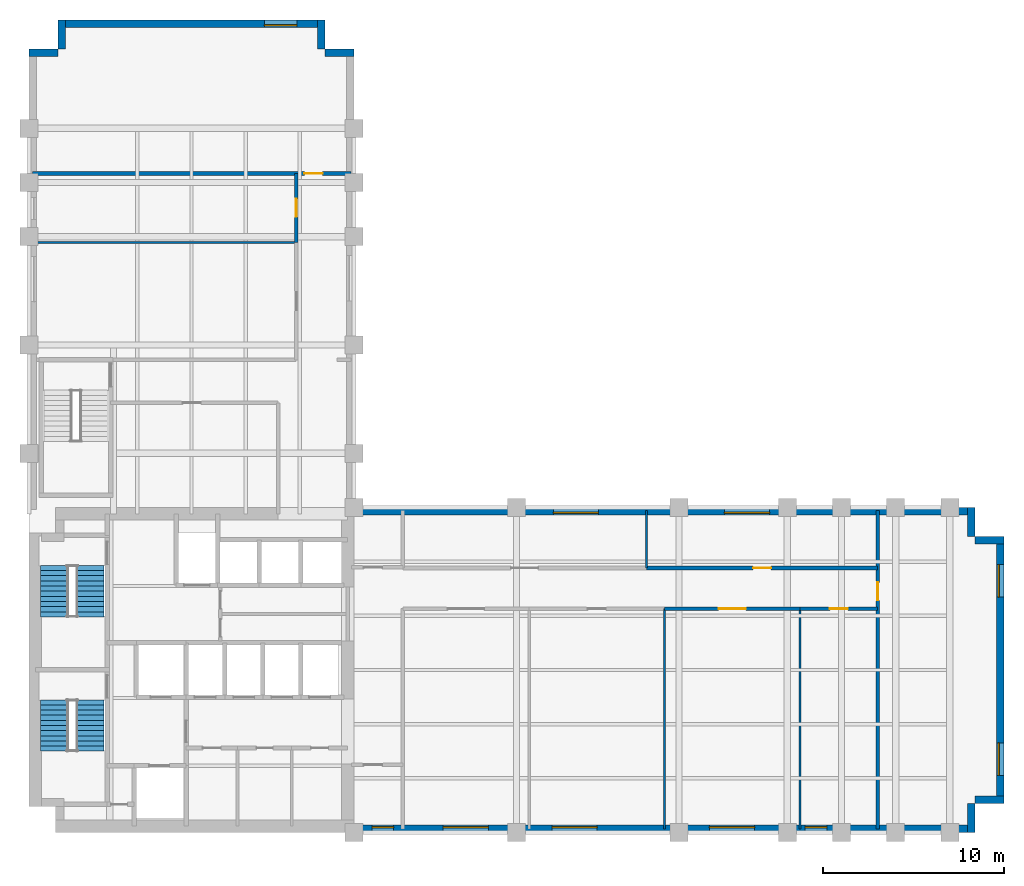
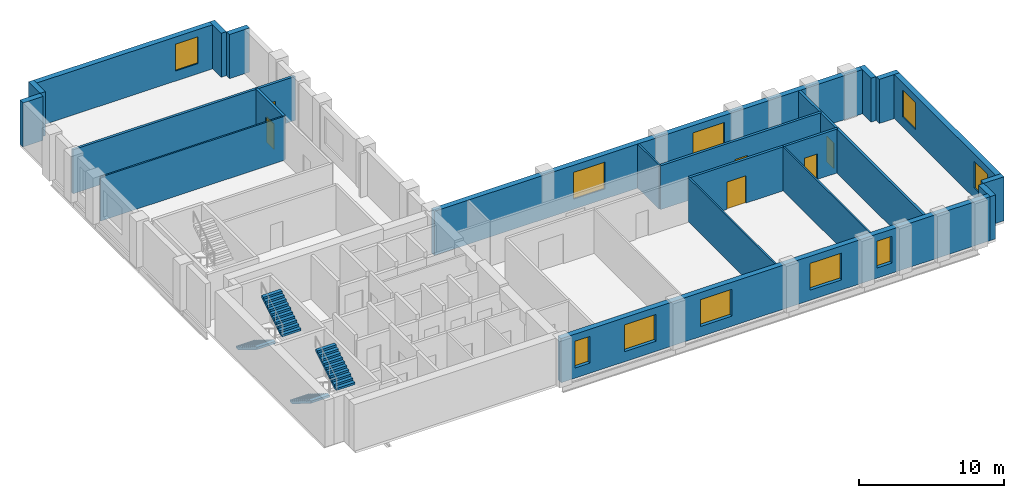
# One storey, part 5 of 7: 22 walls, 10 windows, 6 doors, 4 stair flights, 16 openings, 2 elements without a shape of their own.
"""IFC4 building model written with IfcOpenShell, lengths in metres."""

from ifc_helpers import new_model, si_unit, direction, frame, frame_2d, origin, place, context, subcontext, project, spatial, polyline, rectangle, outline, extrude, material, layer, layer_set, type_object, element, fill, aggregate, save


model = new_model("IFC4")

# Units and contexts
model_context = context("Model", 3, precision=1e-05, world=origin(), true_north=direction((0.0, 1.0)))
body_context = subcontext(model_context, "Body", "Model", "MODEL_VIEW")
ifc_project = project(units=[si_unit("LENGTHUNIT", "METRE"), si_unit("AREAUNIT", "SQUARE_METRE"), si_unit("VOLUMEUNIT", "CUBIC_METRE"), si_unit("PLANEANGLEUNIT", "RADIAN"), si_unit("MASSUNIT", "GRAM", prefix="KILO")], contexts=[model_context])

# Site, building, storey
site_placement = place(None, origin())
site = spatial("IfcSite", under=ifc_project, at=site_placement, CompositionType="ELEMENT")
building_placement = place(site_placement, origin())
building = spatial("IfcBuilding", under=site, at=building_placement, Name="Mawjdan Bourse Tower", CompositionType="ELEMENT")
storey_placement = place(building_placement, frame((0.0, 0.0, 140.10009765625)))
storey = spatial("IfcBuildingStorey", under=building, at=storey_placement, Name="L33", CompositionType="ELEMENT", Elevation=140.10009765625)

# Wall, openings, windows
ifc_material_1 = material(Name="Brick Masonry Buff", Category="masonry")
ifc_layer_1 = layer(ifc_material_1, 0.419921875)
ifc_layer_set_1 = layer_set([ifc_layer_1], Name="Brick Masonry Buff")
wall_type_1 = type_object("IfcWallType", Name="WL-BRK-BUFF-420", PredefinedType="STANDARD", material=ifc_layer_set_1)
wall_1_placement = place(storey_placement, frame((23.89990234375, 3.2099609375, 0.0), z_axis=(0.0, 0.0, 1.0), x_axis=(1.0, 0.0, 0.0)))
wall_1 = element("IfcWall", 1, at=wall_1_placement, inside=storey, type_object=wall_type_1, Name="L33 Exterior Brick Wall 1", PredefinedType="STANDARD", context=body_context, shape_type="SweptSolid", body=[
    extrude(rectangle(XDim=34.5, YDim=0.419921875, at=frame_2d((17.25, 0.0))), origin(), (0.0, 0.0, 1.0), 3.699951171875),
])
opening_1_placement = place(wall_1_placement, frame((11.0712890625, 0.0, 0.85009765625)))
opening_1 = element("IfcOpeningElement", 2, at=opening_1_placement, cuts=wall_1, Name="Opening W-L33-01", PredefinedType="OPENING", context=body_context, shape_type="SweptSolid", body=[
    extrude(rectangle(XDim=2.5, YDim=2.25, at=frame_2d((1.25, 1.125))), frame((0.0, 0.219970703125, 0.0), z_axis=(0.0, -1.0, 0.0), x_axis=(1.0, 0.0, 0.0)), (0.0, 0.0, 1.0), 0.43994140625),
])
opening_2_placement = place(wall_1_placement, frame((1.10009765625, 0.0, 0.85009765625)))
opening_2 = element("IfcOpeningElement", 3, at=opening_2_placement, cuts=wall_1, Name="Opening W-L33-08", PredefinedType="OPENING", context=body_context, shape_type="SweptSolid", body=[
    extrude(rectangle(XDim=1.199951171875, YDim=2.25, at=frame_2d((0.60009765625, 1.125))), frame((0.0, 0.219970703125, 0.0), z_axis=(0.0, -1.0, 0.0), x_axis=(1.0, 0.0, 0.0)), (0.0, 0.0, 1.0), 0.43994140625),
])
opening_3_placement = place(wall_1_placement, frame((5.0361328125, 0.0, 0.85009765625)))
opening_3 = element("IfcOpeningElement", 4, at=opening_3_placement, cuts=wall_1, Name="Opening W-L33-09", PredefinedType="OPENING", context=body_context, shape_type="SweptSolid", body=[
    extrude(rectangle(XDim=2.5, YDim=2.25, at=frame_2d((1.25, 1.125))), frame((0.0, 0.219970703125, 0.0), z_axis=(0.0, -1.0, 0.0), x_axis=(1.0, 0.0, 0.0)), (0.0, 0.0, 1.0), 0.43994140625),
])
opening_4_placement = place(wall_1_placement, frame((19.7861328125, 0.0, 0.85009765625)))
opening_4 = element("IfcOpeningElement", 5, at=opening_4_placement, cuts=wall_1, Name="Opening W-L33-10", PredefinedType="OPENING", context=body_context, shape_type="SweptSolid", body=[
    extrude(rectangle(XDim=2.5, YDim=2.25, at=frame_2d((1.25, 1.125))), frame((0.0, 0.219970703125, 0.0), z_axis=(0.0, -1.0, 0.0), x_axis=(1.0, 0.0, 0.0)), (0.0, 0.0, 1.0), 0.43994140625),
])
opening_5_placement = place(wall_1_placement, frame((25.086181640625, 0.0, 0.85009765625)))
opening_5 = element("IfcOpeningElement", 6, at=opening_5_placement, cuts=wall_1, Name="Opening W-L33-11", PredefinedType="OPENING", context=body_context, shape_type="SweptSolid", body=[
    extrude(rectangle(XDim=1.199951171875, YDim=2.25, at=frame_2d((0.60009765625, 1.125))), frame((0.0, 0.219970703125, 0.0), z_axis=(0.0, -1.0, 0.0), x_axis=(1.0, 0.0, 0.0)), (0.0, 0.0, 1.0), 0.43994140625),
])
ifc_material_2 = material(Name="Solar-Control Clear Double Glazing", Category="glass")
window_type_1 = type_object("IfcWindowType", Name="WN-Z2-1200", PartitioningType="SINGLE_PANEL", PredefinedType="WINDOW", material=ifc_material_2)
window_1_placement = place(opening_2_placement, origin())
window_1 = element("IfcWindow", 7, at=window_1_placement, inside=storey, type_object=window_type_1, Name="L33 Deep-Set Masonry Window W-L33-08", OverallHeight=2.25, OverallWidth=1.199951171875, PartitioningType="SINGLE_PANEL", PredefinedType="WINDOW", context=body_context, shape_type="SweptSolid", body=[
    extrude(rectangle(XDim=1.199951171875, YDim=2.25, at=frame_2d((0.60009765625, 1.125))), frame((0.0, 0.110107421875, 0.0), z_axis=(0.0, -1.0, 0.0), x_axis=(1.0, 0.0, 0.0)), (0.0, 0.0, 1.0), 0.06005859375),
])
fill(opening_2, window_1)
window_2_placement = place(opening_5_placement, origin())
window_2 = element("IfcWindow", 8, at=window_2_placement, inside=storey, type_object=window_type_1, Name="L33 Deep-Set Masonry Window W-L33-11", OverallHeight=2.25, OverallWidth=1.199951171875, PartitioningType="SINGLE_PANEL", PredefinedType="WINDOW", context=body_context, shape_type="SweptSolid", body=[
    extrude(rectangle(XDim=1.199951171875, YDim=2.25, at=frame_2d((0.60009765625, 1.125))), frame((0.0, 0.110107421875, 0.0), z_axis=(0.0, -1.0, 0.0), x_axis=(1.0, 0.0, 0.0)), (0.0, 0.0, 1.0), 0.06005859375),
])
fill(opening_5, window_2)
window_type_2 = type_object("IfcWindowType", Name="WN-Z2-2500", PartitioningType="SINGLE_PANEL", PredefinedType="WINDOW", material=ifc_material_2)
window_3_placement = place(opening_1_placement, origin())
window_3 = element("IfcWindow", 9, at=window_3_placement, inside=storey, type_object=window_type_2, Name="L33 Deep-Set Masonry Window W-L33-01", OverallHeight=2.25, OverallWidth=2.5, PartitioningType="SINGLE_PANEL", PredefinedType="WINDOW", context=body_context, shape_type="SweptSolid", body=[
    extrude(rectangle(XDim=2.5, YDim=2.25, at=frame_2d((1.25, 1.125))), frame((0.0, 0.110107421875, 0.0), z_axis=(0.0, -1.0, 0.0), x_axis=(1.0, 0.0, 0.0)), (0.0, 0.0, 1.0), 0.06005859375),
])
fill(opening_1, window_3)
window_4_placement = place(opening_3_placement, origin())
window_4 = element("IfcWindow", 10, at=window_4_placement, inside=storey, type_object=window_type_2, Name="L33 Deep-Set Masonry Window W-L33-09", OverallHeight=2.25, OverallWidth=2.5, PartitioningType="SINGLE_PANEL", PredefinedType="WINDOW", context=body_context, shape_type="SweptSolid", body=[
    extrude(rectangle(XDim=2.5, YDim=2.25, at=frame_2d((1.25, 1.125))), frame((0.0, 0.110107421875, 0.0), z_axis=(0.0, -1.0, 0.0), x_axis=(1.0, 0.0, 0.0)), (0.0, 0.0, 1.0), 0.06005859375),
])
fill(opening_3, window_4)
window_5_placement = place(opening_4_placement, origin())
window_5 = element("IfcWindow", 11, at=window_5_placement, inside=storey, type_object=window_type_2, Name="L33 Deep-Set Masonry Window W-L33-10", OverallHeight=2.25, OverallWidth=2.5, PartitioningType="SINGLE_PANEL", PredefinedType="WINDOW", context=body_context, shape_type="SweptSolid", body=[
    extrude(rectangle(XDim=2.5, YDim=2.25, at=frame_2d((1.25, 1.125))), frame((0.0, 0.110107421875, 0.0), z_axis=(0.0, -1.0, 0.0), x_axis=(1.0, 0.0, 0.0)), (0.0, 0.0, 1.0), 0.06005859375),
])
fill(opening_4, window_5)

# Walls
for number, where, z_axis, x_axis, name in (
    (12, (58.18994140625, 3.0, 0.0), (0.0, 0.0, 1.0), (0.0, 1.0, 0.0), "L33 Exterior Brick Wall 2"),
    (13, (58.39990234375, 4.81005859375, 0.0), (0.0, 0.0, 1.0), (1.0, 0.0, 0.0), "L33 Exterior Brick Wall 3"),
):
    element("IfcWall", number, at=place(storey_placement, frame(where, z_axis=z_axis, x_axis=x_axis)), inside=storey, type_object=wall_type_1, Name=name, PredefinedType="STANDARD", context=body_context, shape_type="SweptSolid", body=[
        extrude(rectangle(XDim=1.60009765625, YDim=0.419921875, at=frame_2d((0.800048828125, 0.0))), origin(), (0.0, 0.0, 1.0), 3.699951171875),
    ])

# Wall, openings, windows
wall_2_placement = place(storey_placement, frame((59.7900390625, 4.60009765625, 0.0), z_axis=(0.0, 0.0, 1.0), x_axis=(0.0, 1.0, 0.0)))
wall_2 = element("IfcWall", 14, at=wall_2_placement, inside=storey, type_object=wall_type_1, Name="L33 Exterior Brick Wall 4", PredefinedType="STANDARD", context=body_context, shape_type="SweptSolid", body=[
    extrude(rectangle(XDim=14.7998046875, YDim=0.419921875, at=frame_2d((7.39990234375, 0.0))), origin(), (0.0, 0.0, 1.0), 3.699951171875),
])
opening_6_placement = place(wall_2_placement, frame((1.566650390625, 0.0, 0.85009765625)))
opening_6 = element("IfcOpeningElement", 15, at=opening_6_placement, cuts=wall_2, Name="Opening W-L33-02", PredefinedType="OPENING", context=body_context, shape_type="SweptSolid", body=[
    extrude(rectangle(XDim=1.800048828125, YDim=2.25, at=frame_2d((0.89990234375, 1.125))), frame((0.0, 0.219970703125, 0.0), z_axis=(0.0, -1.0, 0.0), x_axis=(1.0, 0.0, 0.0)), (0.0, 0.0, 1.0), 0.43994140625),
])
opening_7_placement = place(wall_2_placement, frame((11.433349609375, 0.0, 0.85009765625)))
opening_7 = element("IfcOpeningElement", 16, at=opening_7_placement, cuts=wall_2, Name="Opening W-L33-03", PredefinedType="OPENING", context=body_context, shape_type="SweptSolid", body=[
    extrude(rectangle(XDim=1.800048828125, YDim=2.25, at=frame_2d((0.89990234375, 1.125))), frame((0.0, 0.219970703125, 0.0), z_axis=(0.0, -1.0, 0.0), x_axis=(1.0, 0.0, 0.0)), (0.0, 0.0, 1.0), 0.43994140625),
])
window_type_3 = type_object("IfcWindowType", Name="WN-Z2-1800", PartitioningType="SINGLE_PANEL", PredefinedType="WINDOW", material=ifc_material_2)
window_6_placement = place(opening_6_placement, origin())
window_6 = element("IfcWindow", 17, at=window_6_placement, inside=storey, type_object=window_type_3, Name="L33 Deep-Set Masonry Window W-L33-02", OverallHeight=2.25, OverallWidth=1.800048828125, PartitioningType="SINGLE_PANEL", PredefinedType="WINDOW", context=body_context, shape_type="SweptSolid", body=[
    extrude(rectangle(XDim=1.800048828125, YDim=2.25, at=frame_2d((0.89990234375, 1.125))), frame((0.0, 0.110107421875, 0.0), z_axis=(0.0, -1.0, 0.0), x_axis=(1.0, 0.0, 0.0)), (0.0, 0.0, 1.0), 0.06005859375),
])
fill(opening_6, window_6)
window_7_placement = place(opening_7_placement, origin())
window_7 = element("IfcWindow", 18, at=window_7_placement, inside=storey, type_object=window_type_3, Name="L33 Deep-Set Masonry Window W-L33-03", OverallHeight=2.25, OverallWidth=1.800048828125, PartitioningType="SINGLE_PANEL", PredefinedType="WINDOW", context=body_context, shape_type="SweptSolid", body=[
    extrude(rectangle(XDim=1.800048828125, YDim=2.25, at=frame_2d((0.89990234375, 1.125))), frame((0.0, 0.110107421875, 0.0), z_axis=(0.0, -1.0, 0.0), x_axis=(1.0, 0.0, 0.0)), (0.0, 0.0, 1.0), 0.06005859375),
])
fill(opening_7, window_7)

# Walls
for number, where, z_axis, x_axis, name in (
    (19, (60.0, 19.18994140625, 0.0), (0.0, 0.0, 1.0), (-1.0, 0.0, 0.0), "L33 Exterior Brick Wall 5"),
    (20, (58.18994140625, 19.39990234375, 0.0), (0.0, 0.0, 1.0), (0.0, 1.0, 0.0), "L33 Exterior Brick Wall 6"),
):
    element("IfcWall", number, at=place(storey_placement, frame(where, z_axis=z_axis, x_axis=x_axis)), inside=storey, type_object=wall_type_1, Name=name, PredefinedType="STANDARD", context=body_context, shape_type="SweptSolid", body=[
        extrude(rectangle(XDim=1.60009765625, YDim=0.419921875, at=frame_2d((0.800048828125, 0.0))), origin(), (0.0, 0.0, 1.0), 3.699951171875),
    ])

# Wall, openings, windows
wall_3_placement = place(storey_placement, frame((58.39990234375, 20.7900390625, 0.0), z_axis=(0.0, 0.0, 1.0), x_axis=(-1.0, 0.0, 0.0)))
wall_3 = element("IfcWall", 21, at=wall_3_placement, inside=storey, type_object=wall_type_1, Name="L33 Exterior Brick Wall 7", PredefinedType="STANDARD", context=body_context, shape_type="SweptSolid", body=[
    extrude(rectangle(XDim=34.39990234375, YDim=0.419921875, at=frame_2d((17.199951171875, 0.0))), origin(), (0.0, 0.0, 1.0), 3.699951171875),
])
opening_8_placement = place(wall_3_placement, frame((20.8642578125, 0.0, 0.85009765625)))
opening_8 = element("IfcOpeningElement", 22, at=opening_8_placement, cuts=wall_3, Name="Opening W-L33-04", PredefinedType="OPENING", context=body_context, shape_type="SweptSolid", body=[
    extrude(rectangle(XDim=2.5, YDim=2.25, at=frame_2d((1.25, 1.125))), frame((0.0, 0.219970703125, 0.0), z_axis=(0.0, -1.0, 0.0), x_axis=(1.0, 0.0, 0.0)), (0.0, 0.0, 1.0), 0.43994140625),
])
opening_9_placement = place(wall_3_placement, frame((11.38623046875, 0.0, 0.85009765625)))
opening_9 = element("IfcOpeningElement", 23, at=opening_9_placement, cuts=wall_3, Name="Opening W-L33-12", PredefinedType="OPENING", context=body_context, shape_type="SweptSolid", body=[
    extrude(rectangle(XDim=2.5, YDim=2.25, at=frame_2d((1.25, 1.125))), frame((0.0, 0.219970703125, 0.0), z_axis=(0.0, -1.0, 0.0), x_axis=(1.0, 0.0, 0.0)), (0.0, 0.0, 1.0), 0.43994140625),
])
window_8_placement = place(opening_8_placement, origin())
window_8 = element("IfcWindow", 24, at=window_8_placement, inside=storey, type_object=window_type_2, Name="L33 Deep-Set Masonry Window W-L33-04", OverallHeight=2.25, OverallWidth=2.5, PartitioningType="SINGLE_PANEL", PredefinedType="WINDOW", context=body_context, shape_type="SweptSolid", body=[
    extrude(rectangle(XDim=2.5, YDim=2.25, at=frame_2d((1.25, 1.125))), frame((0.0, 0.110107421875, 0.0), z_axis=(0.0, -1.0, 0.0), x_axis=(1.0, 0.0, 0.0)), (0.0, 0.0, 1.0), 0.06005859375),
])
fill(opening_8, window_8)
window_9_placement = place(opening_9_placement, origin())
window_9 = element("IfcWindow", 25, at=window_9_placement, inside=storey, type_object=window_type_2, Name="L33 Deep-Set Masonry Window W-L33-12", OverallHeight=2.25, OverallWidth=2.5, PartitioningType="SINGLE_PANEL", PredefinedType="WINDOW", context=body_context, shape_type="SweptSolid", body=[
    extrude(rectangle(XDim=2.5, YDim=2.25, at=frame_2d((1.25, 1.125))), frame((0.0, 0.110107421875, 0.0), z_axis=(0.0, -1.0, 0.0), x_axis=(1.0, 0.0, 0.0)), (0.0, 0.0, 1.0), 0.06005859375),
])
fill(opening_9, window_9)

# Walls
for number, where, z_axis, x_axis, name in (
    (26, (24.0, 46.18994140625, 0.0), (0.0, 0.0, 1.0), (-1.0, 0.0, 0.0), "L33 Exterior Brick Wall 9"),
    (27, (22.18994140625, 46.39990234375, 0.0), (0.0, 0.0, 1.0), (0.0, 1.0, 0.0), "L33 Exterior Brick Wall 10"),
):
    element("IfcWall", number, at=place(storey_placement, frame(where, z_axis=z_axis, x_axis=x_axis)), inside=storey, type_object=wall_type_1, Name=name, PredefinedType="STANDARD", context=body_context, shape_type="SweptSolid", body=[
        extrude(rectangle(XDim=1.60009765625, YDim=0.419921875, at=frame_2d((0.800048828125, 0.0))), origin(), (0.0, 0.0, 1.0), 3.699951171875),
    ])

# Wall, opening, window
wall_4_placement = place(storey_placement, frame((22.39990234375, 47.7900390625, 0.0), z_axis=(0.0, 0.0, 1.0), x_axis=(-1.0, 0.0, 0.0)))
wall_4 = element("IfcWall", 28, at=wall_4_placement, inside=storey, type_object=wall_type_1, Name="L33 Exterior Brick Wall 11", PredefinedType="STANDARD", context=body_context, shape_type="SweptSolid", body=[
    extrude(rectangle(XDim=14.7998046875, YDim=0.419921875, at=frame_2d((7.39990234375, 0.0))), origin(), (0.0, 0.0, 1.0), 3.699951171875),
])
opening_10_placement = place(wall_4_placement, frame((1.566650390625, 0.0, 0.85009765625)))
opening_10 = element("IfcOpeningElement", 29, at=opening_10_placement, cuts=wall_4, Name="Opening W-L33-06", PredefinedType="OPENING", context=body_context, shape_type="SweptSolid", body=[
    extrude(rectangle(XDim=1.800048828125, YDim=2.25, at=frame_2d((0.89990234375, 1.125))), frame((0.0, 0.219970703125, 0.0), z_axis=(0.0, -1.0, 0.0), x_axis=(1.0, 0.0, 0.0)), (0.0, 0.0, 1.0), 0.43994140625),
])
window_10_placement = place(opening_10_placement, origin())
window_10 = element("IfcWindow", 30, at=window_10_placement, inside=storey, type_object=window_type_3, Name="L33 Deep-Set Masonry Window W-L33-06", OverallHeight=2.25, OverallWidth=1.800048828125, PartitioningType="SINGLE_PANEL", PredefinedType="WINDOW", context=body_context, shape_type="SweptSolid", body=[
    extrude(rectangle(XDim=1.800048828125, YDim=2.25, at=frame_2d((0.89990234375, 1.125))), frame((0.0, 0.110107421875, 0.0), z_axis=(0.0, -1.0, 0.0), x_axis=(1.0, 0.0, 0.0)), (0.0, 0.0, 1.0), 0.06005859375),
])
fill(opening_10, window_10)

# Walls
for number, where, z_axis, x_axis, name in (
    (31, (7.81005859375, 48.0, 0.0), (0.0, 0.0, 1.0), (0.0, -1.0, 0.0), "L33 Exterior Brick Wall 12"),
    (32, (7.60009765625, 46.18994140625, 0.0), (0.0, 0.0, 1.0), (-1.0, 0.0, 0.0), "L33 Exterior Brick Wall 13"),
):
    element("IfcWall", number, at=place(storey_placement, frame(where, z_axis=z_axis, x_axis=x_axis)), inside=storey, type_object=wall_type_1, Name=name, PredefinedType="STANDARD", context=body_context, shape_type="SweptSolid", body=[
        extrude(rectangle(XDim=1.60009765625, YDim=0.419921875, at=frame_2d((0.800048828125, 0.0))), origin(), (0.0, 0.0, 1.0), 3.699951171875),
    ])

# Wall, opening, door
ifc_material_3 = material(Name="Gypsum Fireboard Assembly")
ifc_layer_2 = layer(ifc_material_3, 0.199951171875)
ifc_layer_set_2 = layer_set([ifc_layer_2], Name="Gypsum Fireboard Assembly")
wall_type_2 = type_object("IfcWallType", Name="WL-CMP-200", PredefinedType="PARTITIONING", material=ifc_layer_set_2)
wall_5_placement = place(storey_placement, frame((41.199951171875, 15.39990234375, 0.0), z_axis=(0.0, 0.0, 1.0), x_axis=(1.0, 0.0, 0.0)))
wall_5 = element("IfcWall", 33, at=wall_5_placement, inside=storey, type_object=wall_type_2, Name="L33 Conference Room Corridor Wall", PredefinedType="PARTITIONING", context=body_context, shape_type="SweptSolid", body=[
    extrude(rectangle(XDim=7.5, YDim=0.199951171875, at=frame_2d((3.75, 0.0))), origin(), (0.0, 0.0, 1.0), 3.68994140625),
])
opening_11_placement = place(wall_5_placement, frame((3.0, 0.0, 0.0)))
opening_11 = element("IfcOpeningElement", 34, at=opening_11_placement, cuts=wall_5, Name="Opening D-L33-24", PredefinedType="OPENING", context=body_context, shape_type="SweptSolid", body=[
    extrude(rectangle(XDim=1.5, YDim=2.300048828125, at=frame_2d((0.75, 1.14990234375))), frame((0.0, 0.10986328125, 0.0), z_axis=(0.0, -1.0, 0.0), x_axis=(1.0, 0.0, 0.0)), (0.0, 0.0, 1.0), 0.219970703125),
])
ifc_material_4 = material(Name="Acoustic Glazed Timber", Category="wood")
door_type_1 = type_object("IfcDoorType", Name="DR-CNF-1500", OperationType="DOUBLE_DOOR_SINGLE_SWING", PredefinedType="DOOR", material=ifc_material_4)
door_1_placement = place(opening_11_placement, origin())
door_1 = element("IfcDoor", 35, at=door_1_placement, inside=storey, type_object=door_type_1, Name="L33 Conference Room Door D-L33-24", OperationType="DOUBLE_DOOR_SINGLE_SWING", OverallHeight=2.300048828125, OverallWidth=1.5, PredefinedType="DOOR", context=body_context, shape_type="SweptSolid", body=[
    extrude(rectangle(XDim=1.5, YDim=2.300048828125, at=frame_2d((0.75, 1.14990234375))), frame((0.0, 0.02490234375, 0.0), z_axis=(0.0, -1.0, 0.0), x_axis=(1.0, 0.0, 0.0)), (0.0, 0.0, 1.0), 0.050048828125),
])
fill(opening_11, door_1)

wall_6_placement = place(storey_placement, frame((48.699951171875, 15.39990234375, 0.0), z_axis=(0.0, 0.0, 1.0), x_axis=(1.0, 0.0, 0.0)))
wall_6 = element("IfcWall", 36, at=wall_6_placement, inside=storey, type_object=wall_type_2, Name="L33 Training Room Corridor Wall", PredefinedType="PARTITIONING", context=body_context, shape_type="SweptSolid", body=[
    extrude(rectangle(XDim=4.300048828125, YDim=0.199951171875, at=frame_2d((2.14990234375, 0.0))), origin(), (0.0, 0.0, 1.0), 3.68994140625),
])
opening_12_placement = place(wall_6_placement, frame((1.64990234375, 0.0, 0.0)))
opening_12 = element("IfcOpeningElement", 37, at=opening_12_placement, cuts=wall_6, Name="Opening D-L33-25", PredefinedType="OPENING", context=body_context, shape_type="SweptSolid", body=[
    extrude(rectangle(XDim=1.0, YDim=2.14990234375, at=frame_2d((0.5, 1.074951171875))), frame((0.0, 0.10986328125, 0.0), z_axis=(0.0, -1.0, 0.0), x_axis=(1.0, 0.0, 0.0)), (0.0, 0.0, 1.0), 0.219970703125),
])
ifc_material_5 = material(Name="Hardwood Acoustic Leaf", Category="wood")
door_type_2 = type_object("IfcDoorType", Name="DR-OFC-1000", OperationType="NOTDEFINED", PredefinedType="DOOR", material=ifc_material_5)
door_2_placement = place(opening_12_placement, origin())
door_2 = element("IfcDoor", 38, at=door_2_placement, inside=storey, type_object=door_type_2, Name="L33 Training Room Door D-L33-25", OperationType="SINGLE_SWING_LEFT", OverallHeight=2.14990234375, OverallWidth=1.0, PredefinedType="DOOR", context=body_context, shape_type="SweptSolid", body=[
    extrude(rectangle(XDim=1.0, YDim=2.14990234375, at=frame_2d((0.5, 1.074951171875))), frame((0.0, 0.02490234375, 0.0), z_axis=(0.0, -1.0, 0.0), x_axis=(1.0, 0.0, 0.0)), (0.0, 0.0, 1.0), 0.050048828125),
])
fill(opening_12, door_2)

wall_7_placement = place(storey_placement, frame((40.199951171875, 17.64990234375, 0.0), z_axis=(0.0, 0.0, 1.0), x_axis=(1.0, 0.0, 0.0)))
wall_7 = element("IfcWall", 39, at=wall_7_placement, inside=storey, type_object=wall_type_2, Name="L33 Training Room Corridor Wall", PredefinedType="PARTITIONING", context=body_context, shape_type="SweptSolid", body=[
    extrude(rectangle(XDim=12.800048828125, YDim=0.199951171875, at=frame_2d((6.39990234375, 0.0))), origin(), (0.0, 0.0, 1.0), 3.68994140625),
])
opening_13_placement = place(wall_7_placement, frame((5.89990234375, 0.0, 0.0)))
opening_13 = element("IfcOpeningElement", 40, at=opening_13_placement, cuts=wall_7, Name="Opening D-L33-27", PredefinedType="OPENING", context=body_context, shape_type="SweptSolid", body=[
    extrude(rectangle(XDim=1.0, YDim=2.14990234375, at=frame_2d((0.5, 1.074951171875))), frame((0.0, 0.10986328125, 0.0), z_axis=(0.0, -1.0, 0.0), x_axis=(1.0, 0.0, 0.0)), (0.0, 0.0, 1.0), 0.219970703125),
])
door_3_placement = place(opening_13_placement, origin())
door_3 = element("IfcDoor", 41, at=door_3_placement, inside=storey, type_object=door_type_2, Name="L33 Training Room Door D-L33-27", OperationType="SINGLE_SWING_RIGHT", OverallHeight=2.14990234375, OverallWidth=1.0, PredefinedType="DOOR", context=body_context, shape_type="SweptSolid", body=[
    extrude(rectangle(XDim=1.0, YDim=2.14990234375, at=frame_2d((0.5, 1.074951171875))), frame((0.0, 0.02490234375, 0.0), z_axis=(0.0, -1.0, 0.0), x_axis=(1.0, 0.0, 0.0)), (0.0, 0.0, 1.0), 0.050048828125),
])
fill(opening_13, door_3)

wall_8_placement = place(storey_placement, frame((53.0, 3.179931640625, 0.0), z_axis=(0.0, 0.0, 1.0), x_axis=(0.0, 1.0, 0.0)))
wall_8 = element("IfcWall", 42, at=wall_8_placement, inside=storey, type_object=wall_type_2, Name="L33 East Tip Full Cross Wall", PredefinedType="PARTITIONING", context=body_context, shape_type="SweptSolid", body=[
    extrude(rectangle(XDim=17.64013671875, YDim=0.199951171875, at=frame_2d((8.820068359375, 0.0))), origin(), (0.0, 0.0, 1.0), 3.68994140625),
])
opening_14_placement = place(wall_8_placement, frame((12.675048828125, 0.0, 0.0)))
opening_14 = element("IfcOpeningElement", 43, at=opening_14_placement, cuts=wall_8, Name="Opening D-L33-28", PredefinedType="OPENING", context=body_context, shape_type="SweptSolid", body=[
    extrude(rectangle(XDim=1.0, YDim=2.14990234375, at=frame_2d((0.5, 1.074951171875))), frame((0.0, 0.10986328125, 0.0), z_axis=(0.0, -1.0, 0.0), x_axis=(1.0, 0.0, 0.0)), (0.0, 0.0, 1.0), 0.219970703125),
])
door_4_placement = place(opening_14_placement, origin())
door_4 = element("IfcDoor", 44, at=door_4_placement, inside=storey, type_object=door_type_2, Name="L33 East Tip Hall Door D-L33-28", OperationType="SINGLE_SWING_LEFT", OverallHeight=2.14990234375, OverallWidth=1.0, PredefinedType="DOOR", context=body_context, shape_type="SweptSolid", body=[
    extrude(rectangle(XDim=1.0, YDim=2.14990234375, at=frame_2d((0.5, 1.074951171875))), frame((0.0, 0.02490234375, 0.0), z_axis=(0.0, -1.0, 0.0), x_axis=(1.0, 0.0, 0.0)), (0.0, 0.0, 1.0), 0.050048828125),
])
fill(opening_14, door_4)

wall_9_placement = place(storey_placement, frame((20.800048828125, 35.679931640625, 0.0), z_axis=(0.0, 0.0, 1.0), x_axis=(0.0, 1.0, 0.0)))
wall_9 = element("IfcWall", 45, at=wall_9_placement, inside=storey, type_object=wall_type_2, Name="L33 Conference Room Corridor Wall", PredefinedType="PARTITIONING", context=body_context, shape_type="SweptSolid", body=[
    extrude(rectangle(XDim=3.820068359375, YDim=0.199951171875, at=frame_2d((1.91015625, 0.0))), origin(), (0.0, 0.0, 1.0), 3.68994140625),
])
opening_15_placement = place(wall_9_placement, frame((1.409912109375, 0.0, 0.0)))
opening_15 = element("IfcOpeningElement", 46, at=opening_15_placement, cuts=wall_9, Name="Opening D-L33-31", PredefinedType="OPENING", context=body_context, shape_type="SweptSolid", body=[
    extrude(rectangle(XDim=1.0, YDim=2.14990234375, at=frame_2d((0.5, 1.074951171875))), frame((0.0, 0.10986328125, 0.0), z_axis=(0.0, -1.0, 0.0), x_axis=(1.0, 0.0, 0.0)), (0.0, 0.0, 1.0), 0.219970703125),
])
door_5_placement = place(opening_15_placement, origin())
door_5 = element("IfcDoor", 47, at=door_5_placement, inside=storey, type_object=door_type_2, Name="L33 Conference Room Door D-L33-31", OperationType="SINGLE_SWING_RIGHT", OverallHeight=2.14990234375, OverallWidth=1.0, PredefinedType="DOOR", context=body_context, shape_type="SweptSolid", body=[
    extrude(rectangle(XDim=1.0, YDim=2.14990234375, at=frame_2d((0.5, 1.074951171875))), frame((0.0, 0.02490234375, 0.0), z_axis=(0.0, -1.0, 0.0), x_axis=(1.0, 0.0, 0.0)), (0.0, 0.0, 1.0), 0.050048828125),
])
fill(opening_15, door_5)

wall_10_placement = place(storey_placement, frame((6.179931640625, 39.5, 0.0), z_axis=(0.0, 0.0, 1.0), x_axis=(1.0, 0.0, 0.0)))
wall_10 = element("IfcWall", 48, at=wall_10_placement, inside=storey, type_object=wall_type_2, Name="L33 North Tip Full Cross Wall", PredefinedType="PARTITIONING", context=body_context, shape_type="SweptSolid", body=[
    extrude(rectangle(XDim=17.64013671875, YDim=0.199951171875, at=frame_2d((8.820068359375, 0.0))), origin(), (0.0, 0.0, 1.0), 3.68994140625),
])
opening_16_placement = place(wall_10_placement, frame((15.074951171875, 0.0, 0.0)))
opening_16 = element("IfcOpeningElement", 49, at=opening_16_placement, cuts=wall_10, Name="Opening D-L33-32", PredefinedType="OPENING", context=body_context, shape_type="SweptSolid", body=[
    extrude(rectangle(XDim=1.0, YDim=2.14990234375, at=frame_2d((0.5, 1.074951171875))), frame((0.0, 0.10986328125, 0.0), z_axis=(0.0, -1.0, 0.0), x_axis=(1.0, 0.0, 0.0)), (0.0, 0.0, 1.0), 0.219970703125),
])
door_6_placement = place(opening_16_placement, origin())
door_6 = element("IfcDoor", 50, at=door_6_placement, inside=storey, type_object=door_type_2, Name="L33 North Tip Suite Door D-L33-32", OperationType="SINGLE_SWING_LEFT", OverallHeight=2.14990234375, OverallWidth=1.0, PredefinedType="DOOR", context=body_context, shape_type="SweptSolid", body=[
    extrude(rectangle(XDim=1.0, YDim=2.14990234375, at=frame_2d((0.5, 1.074951171875))), frame((0.0, 0.02490234375, 0.0), z_axis=(0.0, -1.0, 0.0), x_axis=(1.0, 0.0, 0.0)), (0.0, 0.0, 1.0), 0.050048828125),
])
fill(opening_16, door_6)

# Walls
ifc_material_6 = material(Name="Gypsum Partition")
ifc_layer_3 = layer(ifc_material_6, 0.125)
ifc_layer_set_3 = layer_set([ifc_layer_3], Name="Gypsum Partition")
wall_type_3 = type_object("IfcWallType", Name="WL-PRT-125", PredefinedType="PARTITIONING", material=ifc_layer_set_3)
for number, where, z_axis, x_axis, name in (
    (51, (41.199951171875, 3.179931640625, 0.0), (0.0, 0.0, 1.0), (0.0, 1.0, 0.0), "L33 Conference Room Partition"),
    (52, (48.699951171875, 3.179931640625, 0.0), (0.0, 0.0, 1.0), (0.0, 1.0, 0.0), "L33 Training Room Partition"),
):
    element("IfcWall", number, at=place(storey_placement, frame(where, z_axis=z_axis, x_axis=x_axis)), inside=storey, type_object=wall_type_3, Name=name, PredefinedType="PARTITIONING", context=body_context, shape_type="SweptSolid", body=[
        extrude(rectangle(XDim=12.219970703125, YDim=0.125, at=frame_2d((6.10986328125, 0.0))), origin(), (0.0, 0.0, 1.0), 3.68994140625),
    ])
wall_11_placement = place(storey_placement, frame((40.199951171875, 17.64990234375, 0.0), z_axis=(0.0, 0.0, 1.0), x_axis=(0.0, 1.0, 0.0)))
element("IfcWall", 53, at=wall_11_placement, inside=storey, type_object=wall_type_3, Name="L33 Training Room Partition", PredefinedType="PARTITIONING", context=body_context, shape_type="SweptSolid", body=[
    extrude(rectangle(XDim=3.170166015625, YDim=0.125, at=frame_2d((1.5849609375, 0.0))), origin(), (0.0, 0.0, 1.0), 3.68994140625),
])
wall_12_placement = place(storey_placement, frame((6.179931640625, 35.679931640625, 0.0), z_axis=(0.0, 0.0, 1.0), x_axis=(1.0, 0.0, 0.0)))
element("IfcWall", 54, at=wall_12_placement, inside=storey, type_object=wall_type_3, Name="L33 Conference Room Partition", PredefinedType="PARTITIONING", context=body_context, shape_type="SweptSolid", body=[
    extrude(rectangle(XDim=14.6201171875, YDim=0.125, at=frame_2d((7.31005859375, 0.0))), origin(), (0.0, 0.0, 1.0), 3.68994140625),
])

# Stair, stair flights
ifc_material_7 = material(Name="Concrete C50/60", Category="concrete")
stair_type = type_object("IfcStairType", Name="STR-CORE-1500", PredefinedType="HALF_TURN_STAIR", material=ifc_material_7)
stair_1_placement = place(storey_placement, origin())
stair_1 = element("IfcStair", 55, at=stair_1_placement, inside=storey, type_object=stair_type, Name="L33 Exit Stair 1 (Core South-West)", PredefinedType="HALF_TURN_STAIR")
stair_flight_type = type_object("IfcStairFlightType", Name="SFL-RC-1500", PredefinedType="STRAIGHT", material=ifc_material_7)
stair_flight_1_placement = place(storey_placement, frame((7.389892578125, 10.35009765625, 0.0), z_axis=(0.0, 0.0, 1.0), x_axis=(0.0, -1.0, 0.0)))
stair_flight_1 = element("IfcStairFlight", 56, at=stair_flight_1_placement, type_object=stair_flight_type, Name="ST1-L33 flight 1", NumberOfRisers=11, NumberOfTreads=10, PredefinedType="STRAIGHT", RiserHeight=0.177273, TreadLength=0.285, context=body_context, shape_type="SweptSolid", body=[
    extrude(outline(polyline([(0.0, 0.0), (0.0, 0.17724609375), (0.284912109375, 0.17724609375), (0.284912109375, 0.3544921875), (0.570068359375, 0.3544921875), (0.570068359375, 0.53173828125), (0.85498046875, 0.53173828125), (0.85498046875, 0.708984375), (1.139892578125, 0.708984375), (1.139892578125, 0.886474609375), (1.425048828125, 0.886474609375), (1.425048828125, 1.063720703125), (1.7099609375, 1.063720703125), (1.7099609375, 1.240966796875), (1.9951171875, 1.240966796875), (1.9951171875, 1.418212890625), (2.280029296875, 1.418212890625), (2.280029296875, 1.595458984375), (2.56494140625, 1.595458984375), (2.56494140625, 1.772705078125), (2.85009765625, 1.772705078125), (2.85009765625, 1.949951171875), (2.85009765625, 1.58447265625), (0.302734375, 0.0), (0.0, 0.0)])), frame((0.0, 0.75, 0.0), z_axis=(0.0, -1.0, 0.0), x_axis=(1.0, 0.0, 0.0)), (0.0, 0.0, 1.0), 1.5),
])
stair_flight_2_placement = place(storey_placement, frame((9.409912109375, 7.5, 1.949951171875), z_axis=(0.0, 0.0, 1.0), x_axis=(0.0, 1.0, 0.0)))
stair_flight_2 = element("IfcStairFlight", 57, at=stair_flight_2_placement, type_object=stair_flight_type, Name="ST1-L33 flight 2", NumberOfRisers=11, NumberOfTreads=10, PredefinedType="STRAIGHT", RiserHeight=0.177273, TreadLength=0.285, context=body_context, shape_type="SweptSolid", body=[
    extrude(outline(polyline([(0.0, 0.0), (0.0, 0.17724609375), (0.284912109375, 0.17724609375), (0.284912109375, 0.3544921875), (0.570068359375, 0.3544921875), (0.570068359375, 0.53173828125), (0.85498046875, 0.53173828125), (0.85498046875, 0.708984375), (1.139892578125, 0.708984375), (1.139892578125, 0.886474609375), (1.425048828125, 0.886474609375), (1.425048828125, 1.063720703125), (1.7099609375, 1.063720703125), (1.7099609375, 1.240966796875), (1.9951171875, 1.240966796875), (1.9951171875, 1.418212890625), (2.280029296875, 1.418212890625), (2.280029296875, 1.595458984375), (2.56494140625, 1.595458984375), (2.56494140625, 1.772705078125), (2.85009765625, 1.772705078125), (2.85009765625, 1.949951171875), (2.85009765625, 1.58447265625), (0.302734375, 0.0), (0.0, 0.0)])), frame((0.0, 0.75, 0.0), z_axis=(0.0, -1.0, 0.0), x_axis=(1.0, 0.0, 0.0)), (0.0, 0.0, 1.0), 1.5),
])
aggregate(stair_1, [stair_flight_1, stair_flight_2])

stair_2_placement = place(storey_placement, origin())
stair_2 = element("IfcStair", 58, at=stair_2_placement, inside=storey, type_object=stair_type, Name="L33 Exit Stair 2 (Core North-West)", PredefinedType="HALF_TURN_STAIR")
stair_flight_3_placement = place(storey_placement, frame((7.389892578125, 17.7900390625, 0.0), z_axis=(0.0, 0.0, 1.0), x_axis=(0.0, -1.0, 0.0)))
stair_flight_3 = element("IfcStairFlight", 59, at=stair_flight_3_placement, type_object=stair_flight_type, Name="ST2-L33 flight 1", NumberOfRisers=11, NumberOfTreads=10, PredefinedType="STRAIGHT", RiserHeight=0.177273, TreadLength=0.285, context=body_context, shape_type="SweptSolid", body=[
    extrude(outline(polyline([(0.0, 0.0), (0.0, 0.17724609375), (0.284912109375, 0.17724609375), (0.284912109375, 0.3544921875), (0.570068359375, 0.3544921875), (0.570068359375, 0.53173828125), (0.85498046875, 0.53173828125), (0.85498046875, 0.708984375), (1.139892578125, 0.708984375), (1.139892578125, 0.886474609375), (1.425048828125, 0.886474609375), (1.425048828125, 1.063720703125), (1.7099609375, 1.063720703125), (1.7099609375, 1.240966796875), (1.9951171875, 1.240966796875), (1.9951171875, 1.418212890625), (2.280029296875, 1.418212890625), (2.280029296875, 1.595458984375), (2.56494140625, 1.595458984375), (2.56494140625, 1.772705078125), (2.85009765625, 1.772705078125), (2.85009765625, 1.949951171875), (2.85009765625, 1.58447265625), (0.302734375, 0.0), (0.0, 0.0)])), frame((0.0, 0.75, 0.0), z_axis=(0.0, -1.0, 0.0), x_axis=(1.0, 0.0, 0.0)), (0.0, 0.0, 1.0), 1.5),
])
stair_flight_4_placement = place(storey_placement, frame((9.409912109375, 14.93994140625, 1.949951171875), z_axis=(0.0, 0.0, 1.0), x_axis=(0.0, 1.0, 0.0)))
stair_flight_4 = element("IfcStairFlight", 60, at=stair_flight_4_placement, type_object=stair_flight_type, Name="ST2-L33 flight 2", NumberOfRisers=11, NumberOfTreads=10, PredefinedType="STRAIGHT", RiserHeight=0.177273, TreadLength=0.285, context=body_context, shape_type="SweptSolid", body=[
    extrude(outline(polyline([(0.0, 0.0), (0.0, 0.17724609375), (0.284912109375, 0.17724609375), (0.284912109375, 0.3544921875), (0.570068359375, 0.3544921875), (0.570068359375, 0.53173828125), (0.85498046875, 0.53173828125), (0.85498046875, 0.708984375), (1.139892578125, 0.708984375), (1.139892578125, 0.886474609375), (1.425048828125, 0.886474609375), (1.425048828125, 1.063720703125), (1.7099609375, 1.063720703125), (1.7099609375, 1.240966796875), (1.9951171875, 1.240966796875), (1.9951171875, 1.418212890625), (2.280029296875, 1.418212890625), (2.280029296875, 1.595458984375), (2.56494140625, 1.595458984375), (2.56494140625, 1.772705078125), (2.85009765625, 1.772705078125), (2.85009765625, 1.949951171875), (2.85009765625, 1.58447265625), (0.302734375, 0.0), (0.0, 0.0)])), frame((0.0, 0.75, 0.0), z_axis=(0.0, -1.0, 0.0), x_axis=(1.0, 0.0, 0.0)), (0.0, 0.0, 1.0), 1.5),
])
aggregate(stair_2, [stair_flight_3, stair_flight_4])

save(model, "model.ifc")
